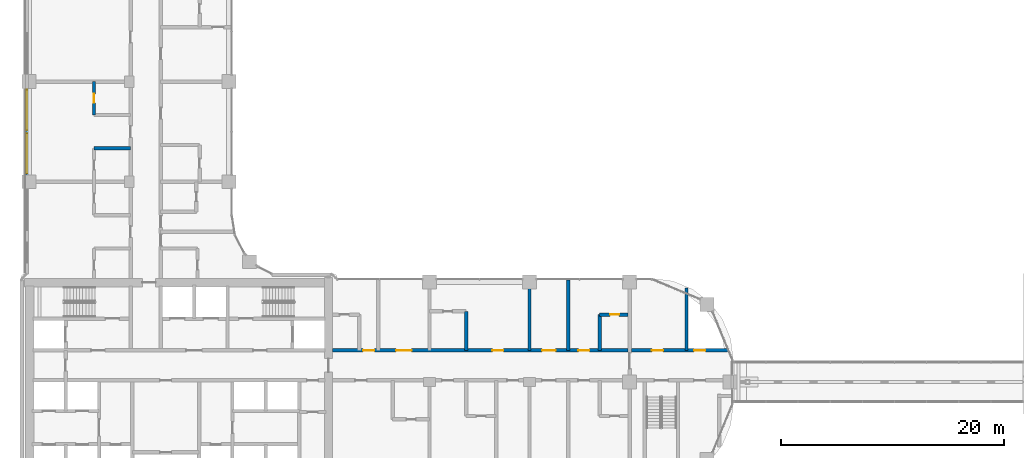
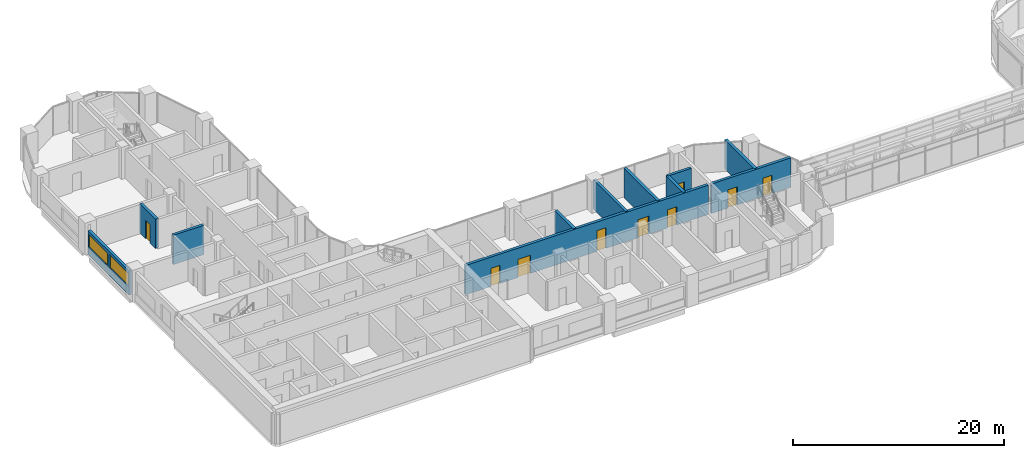
# One storey, part 21 of 33: 11 walls, 9 doors, 2 windows, 11 openings.
"""IFC4 building model written with IfcOpenShell, lengths in metres."""

import ifcopenshell
import ifcopenshell.guid

model = None  # the IFC model being written
_history = None  # IfcOwnerHistory: only IFC2X3 demands one
_inside = {}  # id of a spatial element -> (the spatial element, [elements in it])
_under = {}  # id of a project, library or spatial element -> (it, [spatial elements below it])
_declared = {}  # id of a project -> (the project, [libraries it declares])
_typed = {}  # id of a type object -> (the type object, [elements of that type])
_made_of = {}  # id of a material, layer set ... -> (it, [elements and type objects made of it])


def new_model(schema):
    """Start an empty IFC model of exactly this schema.

    Asked for "IFC4X3", IfcOpenShell would pick the latest addendum, in which some entities
    have other attributes; the version numbers below select the first issue.
    IFC2X3 requires an IfcOwnerHistory on every rooted entity: one is made here for all.
    """
    global model, _history
    if schema == "IFC4X3":
        model = ifcopenshell.file(schema_version=(4, 3, 0, 0))
    else:
        model = ifcopenshell.file(schema=schema)
    _inside.clear()
    _under.clear()
    _declared.clear()
    _typed.clear()
    _made_of.clear()
    _history = None
    if model.schema == "IFC2X3":
        org = make("IfcOrganization", Name="unknown")
        user = make(
            "IfcPersonAndOrganization",
            ThePerson=make("IfcPerson", FamilyName="unknown"),
            TheOrganization=org,
        )
        app = make(
            "IfcApplication",
            ApplicationDeveloper=org,
            Version="unknown",
            ApplicationFullName="unknown",
            ApplicationIdentifier="unknown",
        )
        _history = make(
            "IfcOwnerHistory",
            OwningUser=user,
            OwningApplication=app,
            ChangeAction="ADDED",
            CreationDate=0,
        )
    return model


def make(cls, **values):
    """One entity of the class cls with the attributes given. An attribute that is None is left unset."""
    return model.create_entity(
        cls, **{name: value for name, value in values.items() if value is not None}
    )


def rooted(cls, **values):
    """An entity with a GlobalId (a new one), such as an element, a storey or a relation."""
    return make(cls, GlobalId=ifcopenshell.guid.new(), OwnerHistory=_history, **values)


def si_unit(unit_type, name, prefix=None):
    """IfcSIUnit, for example si_unit("LENGTHUNIT", "METRE", prefix="MILLI")."""
    return make("IfcSIUnit", UnitType=unit_type, Prefix=prefix, Name=name)


def assignment(units):
    """IfcUnitAssignment: the units of a project."""
    return None if units is None else make("IfcUnitAssignment", Units=units)


def point(xyz):
    """IfcCartesianPoint."""
    return None if xyz is None else make("IfcCartesianPoint", Coordinates=xyz)


def direction(xyz):
    """IfcDirection."""
    return None if xyz is None else make("IfcDirection", DirectionRatios=xyz)


def frame(location, z_axis=None, x_axis=None):
    """IfcAxis2Placement3D, a coordinate frame: its origin and axes. An axis left out is left unset."""
    return make(
        "IfcAxis2Placement3D",
        Location=point(location),
        Axis=direction(z_axis),
        RefDirection=direction(x_axis),
    )


def frame_2d(location, x_axis=None):
    """IfcAxis2Placement2D, a coordinate frame in the plane: its origin and x axis."""
    return make(
        "IfcAxis2Placement2D", Location=point(location), RefDirection=direction(x_axis)
    )


def origin():
    """The frame at (0, 0, 0) with its axes left unset."""
    return frame((0.0, 0.0, 0.0))


def place(relative_to, where):
    """IfcLocalPlacement: puts the frame where relative to a parent placement (None: the world)."""
    return make(
        "IfcLocalPlacement", PlacementRelTo=relative_to, RelativePlacement=where
    )


def context(
    kind, dimensions, precision=None, world=None, true_north=None, identifier=None
):
    """IfcGeometricRepresentationContext, for example the 3D "Model" context."""
    return make(
        "IfcGeometricRepresentationContext",
        ContextIdentifier=identifier,
        ContextType=kind,
        CoordinateSpaceDimension=dimensions,
        Precision=precision,
        WorldCoordinateSystem=world,
        TrueNorth=true_north,
    )


def subcontext(parent, identifier, kind, view, scale=None):
    """IfcGeometricRepresentationSubContext, for example "Body" below "Model"."""
    return make(
        "IfcGeometricRepresentationSubContext",
        ContextIdentifier=identifier,
        ContextType=kind,
        ParentContext=parent,
        TargetScale=scale,
        TargetView=view,
    )


def project(units=None, contexts=None):
    """IfcProject with its units and contexts."""
    return rooted(
        "IfcProject",
        Name="project",
        RepresentationContexts=contexts,
        UnitsInContext=assignment(units),
    )


def spatial(cls, under=None, at=None, **own):
    """A site, building, storey or space (cls), placed at a placement, below another one or the project."""
    s = rooted(cls, ObjectPlacement=at, **own)
    if under is not None:
        _under.setdefault(under.id(), (under, []))[1].append(s)
    return s


def profile(cls, at=None, kind="AREA", **sizes):
    """A parametric profile (cls). Its sizes go by their IFC names, for example OverallWidth=200.0."""
    return make(cls, ProfileType=kind, Position=at, **sizes)


def rectangle(**sizes):
    """IfcRectangleProfileDef."""
    return profile("IfcRectangleProfileDef", **sizes)


def extrude(swept, where, along, depth):
    """IfcExtrudedAreaSolid: the profile swept, set in the frame where, extruded along a direction by depth."""
    return make(
        "IfcExtrudedAreaSolid",
        SweptArea=swept,
        Position=where,
        ExtrudedDirection=direction(along),
        Depth=depth,
    )


def shape(context_of_items, identifier, shape_type, items):
    """IfcShapeRepresentation: the items that make up one representation, for example the "Body"."""
    return make(
        "IfcShapeRepresentation",
        ContextOfItems=context_of_items,
        RepresentationIdentifier=identifier,
        RepresentationType=shape_type,
        Items=items,
    )


def material(Name=None, Category=None):
    """IfcMaterial."""
    return make("IfcMaterial", Name=Name, Category=Category)


def layer(
    of_material, thickness, ventilated=None, Name=None, Category=None, Priority=None
):
    """IfcMaterialLayer: one layer of a wall or slab, of a material (None: an air gap)."""
    return make(
        "IfcMaterialLayer",
        Material=of_material,
        LayerThickness=thickness,
        IsVentilated=ventilated,
        Name=Name,
        Category=Category,
        Priority=Priority,
    )


def layer_set(layers, Name=None):
    """IfcMaterialLayerSet."""
    return make("IfcMaterialLayerSet", MaterialLayers=layers, LayerSetName=Name)


def made_of(thing, what):
    """Note that an element or type object is made of a material, layer set ...; save() writes the relation."""
    if what is not None:
        _made_of.setdefault(what.id(), (what, []))[1].append(thing)
    return thing


def type_object(cls, material=None, **own):
    """A type object (cls), such as IfcWallType, which elements share."""
    return made_of(rooted(cls, **own), material)


def element(
    cls,
    number,
    at=None,
    inside=None,
    cuts=None,
    type_object=None,
    material=None,
    context=None,
    identifier="Body",
    shape_type=None,
    held_by="IfcProductDefinitionShape",
    body=None,
    shapes=None,
    **own,
):
    """One element of the class cls, such as IfcWall. Its Tag is "e" and its number.

    at: its placement. inside: the storey or other place that contains it. cuts: it is an
    opening in that element (IfcRelVoidsElement). A single representation is given by context,
    identifier, shape_type and body (its items); several are given by shapes. held_by: the class
    of the entity that holds the representations. save() writes the other relations.
    """
    e = rooted(cls, Tag="e%d" % number, ObjectPlacement=at, **own)
    if body is not None:
        shapes = [shape(context, identifier, shape_type, body)]
    if shapes is not None:
        e.Representation = make(held_by, Representations=shapes)
    if inside is not None:
        _inside.setdefault(inside.id(), (inside, []))[1].append(e)
    if cuts is not None:
        rooted(
            "IfcRelVoidsElement", RelatingBuildingElement=cuts, RelatedOpeningElement=e
        )
    if type_object is not None:
        _typed.setdefault(type_object.id(), (type_object, []))[1].append(e)
    return made_of(e, material)


def fill(opening, filler):
    """IfcRelFillsElement: the door or window that sits in an opening."""
    return rooted(
        "IfcRelFillsElement",
        RelatingOpeningElement=opening,
        RelatedBuildingElement=filler,
    )


def aggregate(whole, parts):
    """IfcRelAggregates: a whole, such as a stair, and the parts it consists of."""
    return rooted("IfcRelAggregates", RelatingObject=whole, RelatedObjects=parts)


def save(model, path):
    """Write the relations noted so far, then the file.

    IfcRelAggregates (storeys below a building ...), IfcRelContainedInSpatialStructure (elements
    in a storey), IfcRelDefinesByType, IfcRelAssociatesMaterial and IfcRelDeclares: one each for
    every whole, place, type object, material and project.
    """
    for whole, parts in _under.values():
        aggregate(whole, parts)
    for where, things in _inside.values():
        rooted(
            "IfcRelContainedInSpatialStructure",
            RelatedElements=things,
            RelatingStructure=where,
        )
    for kind, things in _typed.values():
        rooted("IfcRelDefinesByType", RelatedObjects=things, RelatingType=kind)
    for what, things in _made_of.values():
        rooted("IfcRelAssociatesMaterial", RelatedObjects=things, RelatingMaterial=what)
    for by, libraries in _declared.values():
        rooted("IfcRelDeclares", RelatingContext=by, RelatedDefinitions=libraries)
    model.write(path)


model = new_model("IFC4")

# Units and contexts
model_context = context("Model", 3, precision=1e-05, world=origin(), true_north=direction((0.0, 1.0)))
body_context = subcontext(model_context, "Body", "Model", "MODEL_VIEW")
ifc_project = project(units=[si_unit("LENGTHUNIT", "METRE"), si_unit("AREAUNIT", "SQUARE_METRE"), si_unit("VOLUMEUNIT", "CUBIC_METRE"), si_unit("PLANEANGLEUNIT", "RADIAN"), si_unit("MASSUNIT", "GRAM", prefix="KILO")], contexts=[model_context])

# Site, building, storey
site_placement = place(None, origin())
site = spatial("IfcSite", under=ifc_project, at=site_placement, CompositionType="ELEMENT")
building_placement = place(site_placement, origin())
building = spatial("IfcBuilding", under=site, at=building_placement, Name="Ogive Portal Towers", CompositionType="ELEMENT")
storey_placement = place(building_placement, frame((0.0, 0.0, 101.89990234375)))
storey = spatial("IfcBuildingStorey", under=building, at=storey_placement, Name="L24", CompositionType="ELEMENT", Elevation=101.89990234375)

# Wall, openings, windows
ifc_material_1 = material(Name="Limestone cladding on lightweight block wall", Category="masonry")
ifc_layer_1 = layer(ifc_material_1, 0.300048828125)
ifc_layer_set_1 = layer_set([ifc_layer_1], Name="EXTERNAL WALL 300 STONE")
wall_type_1 = type_object("IfcWallType", Name="EXTERNAL WALL 300 STONE", PredefinedType="SOLIDWALL", material=ifc_layer_set_1)
wall_1_placement = place(storey_placement, frame((31.330078125, 56.875, 0.0), z_axis=(0.0, 0.0, 1.0), x_axis=(0.0, -1.0, 0.0)))
wall_1 = element("IfcWall", 1, at=wall_1_placement, inside=storey, type_object=wall_type_1, Name="A:L24:f12:r0:wall3", PredefinedType="SOLIDWALL", context=body_context, shape_type="SweptSolid", body=[
    extrude(rectangle(XDim=7.75, YDim=0.300048828125, at=frame_2d((3.875, 0.0))), origin(), (0.0, 0.0, 1.0), 2.75),
])
opening_1_placement = place(wall_1_placement, frame((0.125, 0.0, 0.89990234375)))
opening_1 = element("IfcOpeningElement", 2, at=opening_1_placement, cuts=wall_1, Name="Opening WN12", PredefinedType="OPENING", context=body_context, shape_type="SweptSolid", body=[
    extrude(rectangle(XDim=3.60009765625, YDim=1.5, at=frame_2d((1.800048828125, 0.75))), frame((0.0, 0.16015625, 0.0), z_axis=(0.0, -1.0, 0.0), x_axis=(1.0, 0.0, 0.0)), (0.0, 0.0, 1.0), 0.320068359375),
])
opening_2_placement = place(wall_1_placement, frame((4.02490234375, 0.0, 0.89990234375)))
opening_2 = element("IfcOpeningElement", 3, at=opening_2_placement, cuts=wall_1, Name="Opening WN12", PredefinedType="OPENING", context=body_context, shape_type="SweptSolid", body=[
    extrude(rectangle(XDim=3.60009765625, YDim=1.5, at=frame_2d((1.800048828125, 0.75))), frame((0.0, 0.16015625, 0.0), z_axis=(0.0, -1.0, 0.0), x_axis=(1.0, 0.0, 0.0)), (0.0, 0.0, 1.0), 0.320068359375),
])
ifc_material_2 = material(Name="Glass, clear low-iron insulated glazing", Category="glass")
window_type = type_object("IfcWindowType", Name="WINDOW RIBBON 3600x1500", PartitioningType="TRIPLE_PANEL_VERTICAL", PredefinedType="WINDOW", material=ifc_material_2)
window_1_placement = place(opening_1_placement, origin())
window_1 = element("IfcWindow", 4, at=window_1_placement, inside=storey, type_object=window_type, Name="A:L24:f12:r0:w2", OverallHeight=1.5, OverallWidth=3.60009765625, PartitioningType="SINGLE_PANEL", PredefinedType="WINDOW", context=body_context, shape_type="SweptSolid", body=[
    extrude(rectangle(XDim=3.60009765625, YDim=1.5, at=frame_2d((1.800048828125, 0.75))), frame((0.0, 0.030029296875, 0.0), z_axis=(0.0, -1.0, 0.0), x_axis=(1.0, 0.0, 0.0)), (0.0, 0.0, 1.0), 0.06005859375),
])
fill(opening_1, window_1)
window_2_placement = place(opening_2_placement, origin())
window_2 = element("IfcWindow", 5, at=window_2_placement, inside=storey, type_object=window_type, Name="A:L24:f12:r0:w3", OverallHeight=1.5, OverallWidth=3.60009765625, PartitioningType="SINGLE_PANEL", PredefinedType="WINDOW", context=body_context, shape_type="SweptSolid", body=[
    extrude(rectangle(XDim=3.60009765625, YDim=1.5, at=frame_2d((1.800048828125, 0.75))), frame((0.0, 0.030029296875, 0.0), z_axis=(0.0, -1.0, 0.0), x_axis=(1.0, 0.0, 0.0)), (0.0, 0.0, 1.0), 0.06005859375),
])
fill(opening_2, window_2)

# Wall, openings, doors
ifc_material_3 = material(Name="Gypsum board partition on steel studs", Category="steel")
ifc_layer_2 = layer(ifc_material_3, 0.300048828125)
ifc_layer_set_2 = layer_set([ifc_layer_2], Name="WT-PART-300-EI 60")
wall_type_2 = type_object("IfcWallType", Name="WT-PART-300-EI 60", PredefinedType="PARTITIONING", material=ifc_layer_set_2)
wall_2_placement = place(storey_placement, frame((58.800048828125, 33.35009765625, 0.0), z_axis=(0.0, 0.0, 1.0), x_axis=(1.0, 0.0, 0.0)))
wall_2 = element("IfcWall", 6, at=wall_2_placement, inside=storey, type_object=wall_type_2, Name="Wall L24:w008", PredefinedType="PARTITIONING", context=body_context, shape_type="SweptSolid", body=[
    extrude(rectangle(XDim=26.530029296875, YDim=0.300048828125, at=frame_2d((13.26513671875, 0.0))), origin(), (0.0, 0.0, 1.0), 3.400146484375),
])
opening_3_placement = place(wall_2_placement, frame((2.75, 0.0, 0.0)))
opening_3 = element("IfcOpeningElement", 7, at=opening_3_placement, cuts=wall_2, Name="Opening D08-026", PredefinedType="OPENING", context=body_context, shape_type="SweptSolid", body=[
    extrude(rectangle(XDim=1.0, YDim=2.10009765625, at=frame_2d((0.5, 1.050048828125))), frame((0.0, 0.16015625, 0.0), z_axis=(0.0, -1.0, 0.0), x_axis=(1.0, 0.0, 0.0)), (0.0, 0.0, 1.0), 0.320068359375),
])
opening_4_placement = place(wall_2_placement, frame((5.699951171875, 0.0, 0.0)))
opening_4 = element("IfcOpeningElement", 8, at=opening_4_placement, cuts=wall_2, Name="Opening D08-027", PredefinedType="OPENING", context=body_context, shape_type="SweptSolid", body=[
    extrude(rectangle(XDim=1.39990234375, YDim=2.10009765625, at=frame_2d((0.699951171875, 1.050048828125))), frame((0.0, 0.16015625, 0.0), z_axis=(0.0, -1.0, 0.0), x_axis=(1.0, 0.0, 0.0)), (0.0, 0.0, 1.0), 0.320068359375),
])
opening_5_placement = place(wall_2_placement, frame((14.35009765625, 0.0, 0.0)))
opening_5 = element("IfcOpeningElement", 9, at=opening_5_placement, cuts=wall_2, Name="Opening D08-031", PredefinedType="OPENING", context=body_context, shape_type="SweptSolid", body=[
    extrude(rectangle(XDim=1.0, YDim=2.39990234375, at=frame_2d((0.5, 1.199951171875))), frame((0.0, 0.16015625, 0.0), z_axis=(0.0, -1.0, 0.0), x_axis=(1.0, 0.0, 0.0)), (0.0, 0.0, 1.0), 0.320068359375),
])
opening_6_placement = place(wall_2_placement, frame((18.8349609375, 0.0, 0.0)))
opening_6 = element("IfcOpeningElement", 10, at=opening_6_placement, cuts=wall_2, Name="Opening D08-035", PredefinedType="OPENING", context=body_context, shape_type="SweptSolid", body=[
    extrude(rectangle(XDim=1.199951171875, YDim=2.10009765625, at=frame_2d((0.60009765625, 1.050048828125))), frame((0.0, 0.16015625, 0.0), z_axis=(0.0, -1.0, 0.0), x_axis=(1.0, 0.0, 0.0)), (0.0, 0.0, 1.0), 0.320068359375),
])
opening_7_placement = place(wall_2_placement, frame((22.0849609375, 0.0, 0.0)))
opening_7 = element("IfcOpeningElement", 11, at=opening_7_placement, cuts=wall_2, Name="Opening D08-037", PredefinedType="OPENING", context=body_context, shape_type="SweptSolid", body=[
    extrude(rectangle(XDim=1.0, YDim=2.10009765625, at=frame_2d((0.5, 1.050048828125))), frame((0.0, 0.16015625, 0.0), z_axis=(0.0, -1.0, 0.0), x_axis=(1.0, 0.0, 0.0)), (0.0, 0.0, 1.0), 0.320068359375),
])
ifc_material_4 = material(Name="Steel fire door", Category="steel")
door_type_1 = type_object("IfcDoorType", Name="DT-ENTRY-1000x2100-FD90S", OperationType="SINGLE_SWING_LEFT", PredefinedType="DOOR", material=ifc_material_4)
door_1_placement = place(opening_3_placement, origin())
door_1 = element("IfcDoor", 12, at=door_1_placement, inside=storey, type_object=door_type_1, Name="Door D08-026", OperationType="SINGLE_SWING_LEFT", OverallHeight=2.10009765625, OverallWidth=1.0, PredefinedType="DOOR", context=body_context, shape_type="SweptSolid", body=[
    extrude(rectangle(XDim=1.0, YDim=2.10009765625, at=frame_2d((0.5, 1.050048828125))), frame((0.0, 0.02490234375, 0.0), z_axis=(0.0, -1.0, 0.0), x_axis=(1.0, 0.0, 0.0)), (0.0, 0.0, 1.0), 0.050048828125),
])
fill(opening_3, door_1)
door_2_placement = place(opening_7_placement, origin())
door_2 = element("IfcDoor", 13, at=door_2_placement, inside=storey, type_object=door_type_1, Name="Door D08-037", OperationType="SINGLE_SWING_RIGHT", OverallHeight=2.10009765625, OverallWidth=1.0, PredefinedType="DOOR", context=body_context, shape_type="SweptSolid", body=[
    extrude(rectangle(XDim=1.0, YDim=2.10009765625, at=frame_2d((0.5, 1.050048828125))), frame((0.0, 0.02490234375, 0.0), z_axis=(0.0, -1.0, 0.0), x_axis=(1.0, 0.0, 0.0)), (0.0, 0.0, 1.0), 0.050048828125),
])
fill(opening_7, door_2)
door_type_2 = type_object("IfcDoorType", Name="DT-ENTRY-1000x2400-FD90S", OperationType="SINGLE_SWING_LEFT", PredefinedType="DOOR", material=ifc_material_4)
door_3_placement = place(opening_5_placement, origin())
door_3 = element("IfcDoor", 14, at=door_3_placement, inside=storey, type_object=door_type_2, Name="Door D08-031", OperationType="SINGLE_SWING_RIGHT", OverallHeight=2.39990234375, OverallWidth=1.0, PredefinedType="DOOR", context=body_context, shape_type="SweptSolid", body=[
    extrude(rectangle(XDim=1.0, YDim=2.39990234375, at=frame_2d((0.5, 1.199951171875))), frame((0.0, 0.02490234375, 0.0), z_axis=(0.0, -1.0, 0.0), x_axis=(1.0, 0.0, 0.0)), (0.0, 0.0, 1.0), 0.050048828125),
])
fill(opening_5, door_3)
door_type_3 = type_object("IfcDoorType", Name="DT-ENTRY-1200x2100-FD90S", OperationType="SINGLE_SWING_LEFT", PredefinedType="DOOR", material=ifc_material_4)
door_4_placement = place(opening_6_placement, origin())
door_4 = element("IfcDoor", 15, at=door_4_placement, inside=storey, type_object=door_type_3, Name="Door D08-035", OperationType="SINGLE_SWING_LEFT", OverallHeight=2.10009765625, OverallWidth=1.199951171875, PredefinedType="DOOR", context=body_context, shape_type="SweptSolid", body=[
    extrude(rectangle(XDim=1.199951171875, YDim=2.10009765625, at=frame_2d((0.60009765625, 1.050048828125))), frame((0.0, 0.02490234375, 0.0), z_axis=(0.0, -1.0, 0.0), x_axis=(1.0, 0.0, 0.0)), (0.0, 0.0, 1.0), 0.050048828125),
])
fill(opening_6, door_4)
door_type_4 = type_object("IfcDoorType", Name="DT-ENTRY-1400x2100-FD90S", OperationType="SINGLE_SWING_LEFT", PredefinedType="DOOR", material=ifc_material_4)
door_5_placement = place(opening_4_placement, origin())
door_5 = element("IfcDoor", 16, at=door_5_placement, inside=storey, type_object=door_type_4, Name="Door D08-027", OperationType="SINGLE_SWING_RIGHT", OverallHeight=2.10009765625, OverallWidth=1.39990234375, PredefinedType="DOOR", context=body_context, shape_type="SweptSolid", body=[
    extrude(rectangle(XDim=1.39990234375, YDim=2.10009765625, at=frame_2d((0.699951171875, 1.050048828125))), frame((0.0, 0.02490234375, 0.0), z_axis=(0.0, -1.0, 0.0), x_axis=(1.0, 0.0, 0.0)), (0.0, 0.0, 1.0), 0.050048828125),
])
fill(opening_4, door_5)

wall_3_placement = place(storey_placement, frame((85.669921875, 33.35009765625, 0.0), z_axis=(0.0, 0.0, 1.0), x_axis=(1.0, 0.0, 0.0)))
wall_3 = element("IfcWall", 17, at=wall_3_placement, inside=storey, type_object=wall_type_2, Name="Wall L24:w009", PredefinedType="PARTITIONING", context=body_context, shape_type="SweptSolid", body=[
    extrude(rectangle(XDim=8.68505859375, YDim=0.300048828125, at=frame_2d((4.342529296875, 0.0))), origin(), (0.0, 0.0, 1.0), 3.400146484375),
])
opening_8_placement = place(wall_3_placement, frame((1.830078125, 0.0, 0.0)))
opening_8 = element("IfcOpeningElement", 18, at=opening_8_placement, cuts=wall_3, Name="Opening D08-060", PredefinedType="OPENING", context=body_context, shape_type="SweptSolid", body=[
    extrude(rectangle(XDim=1.0, YDim=2.10009765625, at=frame_2d((0.5, 1.050048828125))), frame((0.0, 0.16015625, 0.0), z_axis=(0.0, -1.0, 0.0), x_axis=(1.0, 0.0, 0.0)), (0.0, 0.0, 1.0), 0.320068359375),
])
opening_9_placement = place(wall_3_placement, frame((5.6298828125, 0.0, 0.0)))
opening_9 = element("IfcOpeningElement", 19, at=opening_9_placement, cuts=wall_3, Name="Opening D08-061", PredefinedType="OPENING", context=body_context, shape_type="SweptSolid", body=[
    extrude(rectangle(XDim=1.0, YDim=2.10009765625, at=frame_2d((0.5, 1.050048828125))), frame((0.0, 0.16015625, 0.0), z_axis=(0.0, -1.0, 0.0), x_axis=(1.0, 0.0, 0.0)), (0.0, 0.0, 1.0), 0.320068359375),
])
door_type_5 = type_object("IfcDoorType", Name="DT-SERVICE-1000x2100-FD90S", OperationType="SINGLE_SWING_LEFT", PredefinedType="DOOR", material=ifc_material_4)
door_6_placement = place(opening_8_placement, origin())
door_6 = element("IfcDoor", 20, at=door_6_placement, inside=storey, type_object=door_type_5, Name="Door D08-060", OperationType="SINGLE_SWING_LEFT", OverallHeight=2.10009765625, OverallWidth=1.0, PredefinedType="DOOR", context=body_context, shape_type="SweptSolid", body=[
    extrude(rectangle(XDim=1.0, YDim=2.10009765625, at=frame_2d((0.5, 1.050048828125))), frame((0.0, 0.02490234375, 0.0), z_axis=(0.0, -1.0, 0.0), x_axis=(1.0, 0.0, 0.0)), (0.0, 0.0, 1.0), 0.050048828125),
])
fill(opening_8, door_6)
door_7_placement = place(opening_9_placement, origin())
door_7 = element("IfcDoor", 21, at=door_7_placement, inside=storey, type_object=door_type_5, Name="Riser access door D08-061", OperationType="SINGLE_SWING_RIGHT", OverallHeight=2.10009765625, OverallWidth=1.0, PredefinedType="DOOR", context=body_context, shape_type="SweptSolid", body=[
    extrude(rectangle(XDim=1.0, YDim=2.10009765625, at=frame_2d((0.5, 1.050048828125))), frame((0.0, 0.02490234375, 0.0), z_axis=(0.0, -1.0, 0.0), x_axis=(1.0, 0.0, 0.0)), (0.0, 0.0, 1.0), 0.050048828125),
])
fill(opening_9, door_7)

# Wall, opening, door
wall_4_placement = place(storey_placement, frame((82.800048828125, 36.550048828125, 0.0), z_axis=(0.0, 0.0, 1.0), x_axis=(1.0, 0.0, 0.0)))
wall_4 = element("IfcWall", 22, at=wall_4_placement, inside=storey, type_object=wall_type_2, Name="Wall L24:w011", PredefinedType="PARTITIONING", context=body_context, shape_type="SweptSolid", body=[
    extrude(rectangle(XDim=2.530029296875, YDim=0.300048828125, at=frame_2d((1.26513671875, 0.0))), origin(), (0.0, 0.0, 1.0), 3.400146484375),
])
opening_10_placement = place(wall_4_placement, frame((0.949951171875, 0.0, 0.0)))
opening_10 = element("IfcOpeningElement", 23, at=opening_10_placement, cuts=wall_4, Name="Opening D08-036", PredefinedType="OPENING", context=body_context, shape_type="SweptSolid", body=[
    extrude(rectangle(XDim=0.800048828125, YDim=2.10009765625, at=frame_2d((0.39990234375, 1.050048828125))), frame((0.0, 0.16015625, 0.0), z_axis=(0.0, -1.0, 0.0), x_axis=(1.0, 0.0, 0.0)), (0.0, 0.0, 1.0), 0.320068359375),
])
door_type_6 = type_object("IfcDoorType", Name="DT-BATH-800x2100-FD60S", OperationType="SINGLE_SWING_LEFT", PredefinedType="DOOR", material=ifc_material_4)
door_8_placement = place(opening_10_placement, origin())
door_8 = element("IfcDoor", 24, at=door_8_placement, inside=storey, type_object=door_type_6, Name="Door D08-036", OperationType="SINGLE_SWING_LEFT", OverallHeight=2.10009765625, OverallWidth=0.800048828125, PredefinedType="DOOR", context=body_context, shape_type="SweptSolid", body=[
    extrude(rectangle(XDim=0.800048828125, YDim=2.10009765625, at=frame_2d((0.39990234375, 1.050048828125))), frame((0.0, 0.02490234375, 0.0), z_axis=(0.0, -1.0, 0.0), x_axis=(1.0, 0.0, 0.0)), (0.0, 0.0, 1.0), 0.050048828125),
])
fill(opening_10, door_8)

# Wall
wall_5_placement = place(storey_placement, frame((37.35009765625, 51.5, 0.0), z_axis=(0.0, 0.0, 1.0), x_axis=(1.0, 0.0, 0.0)))
element("IfcWall", 25, at=wall_5_placement, inside=storey, type_object=wall_type_2, Name="Wall L24:w020", PredefinedType="PARTITIONING", context=body_context, shape_type="SweptSolid", body=[
    extrude(rectangle(XDim=3.2998046875, YDim=0.300048828125, at=frame_2d((1.64990234375, 0.0))), origin(), (0.0, 0.0, 1.0), 3.400146484375),
])

# Wall, opening, door
wall_6_placement = place(storey_placement, frame((37.35009765625, 54.5, 0.0), z_axis=(0.0, 0.0, 1.0), x_axis=(0.0, 1.0, 0.0)))
wall_6 = element("IfcWall", 26, at=wall_6_placement, inside=storey, type_object=wall_type_2, Name="Wall L24:w033", PredefinedType="PARTITIONING", context=body_context, shape_type="SweptSolid", body=[
    extrude(rectangle(XDim=3.0, YDim=0.300048828125, at=frame_2d((1.5, 0.0))), origin(), (0.0, 0.0, 1.0), 3.400146484375),
])
opening_11_placement = place(wall_6_placement, frame((1.10009765625, 0.0, 0.0)))
opening_11 = element("IfcOpeningElement", 27, at=opening_11_placement, cuts=wall_6, Name="Opening D08-051", PredefinedType="OPENING", context=body_context, shape_type="SweptSolid", body=[
    extrude(rectangle(XDim=0.800048828125, YDim=2.10009765625, at=frame_2d((0.39990234375, 1.050048828125))), frame((0.0, 0.16015625, 0.0), z_axis=(0.0, -1.0, 0.0), x_axis=(1.0, 0.0, 0.0)), (0.0, 0.0, 1.0), 0.320068359375),
])
door_9_placement = place(opening_11_placement, origin())
door_9 = element("IfcDoor", 28, at=door_9_placement, inside=storey, type_object=door_type_6, Name="Door D08-051", OperationType="SINGLE_SWING_LEFT", OverallHeight=2.10009765625, OverallWidth=0.800048828125, PredefinedType="DOOR", context=body_context, shape_type="SweptSolid", body=[
    extrude(rectangle(XDim=0.800048828125, YDim=2.10009765625, at=frame_2d((0.39990234375, 1.050048828125))), frame((0.0, 0.02490234375, 0.0), z_axis=(0.0, -1.0, 0.0), x_axis=(1.0, 0.0, 0.0)), (0.0, 0.0, 1.0), 0.050048828125),
])
fill(opening_11, door_9)

# Walls
wall_7_placement = place(storey_placement, frame((70.800048828125, 33.35009765625, 0.0), z_axis=(0.0, 0.0, 1.0), x_axis=(0.0, 1.0, 0.0)))
element("IfcWall", 29, at=wall_7_placement, inside=storey, type_object=wall_type_2, Name="Wall L24:w049", PredefinedType="PARTITIONING", context=body_context, shape_type="SweptSolid", body=[
    extrude(rectangle(XDim=3.5, YDim=0.300048828125, at=frame_2d((1.75, 0.0))), origin(), (0.0, 0.0, 1.0), 3.400146484375),
])
wall_8_placement = place(storey_placement, frame((76.5, 33.35009765625, 0.0), z_axis=(0.0, 0.0, 1.0), x_axis=(0.0, 1.0, 0.0)))
element("IfcWall", 30, at=wall_8_placement, inside=storey, type_object=wall_type_2, Name="Wall L24:w052", PredefinedType="PARTITIONING", context=body_context, shape_type="SweptSolid", body=[
    extrude(rectangle(XDim=6.119873046875, YDim=0.300048828125, at=frame_2d((3.06005859375, 0.0))), origin(), (0.0, 0.0, 1.0), 3.400146484375),
])
wall_9_placement = place(storey_placement, frame((79.969970703125, 33.35009765625, 0.0), z_axis=(0.0, 0.0, 1.0), x_axis=(0.0, 1.0, 0.0)))
element("IfcWall", 31, at=wall_9_placement, inside=storey, type_object=wall_type_2, Name="Wall L24:w054", PredefinedType="PARTITIONING", context=body_context, shape_type="SweptSolid", body=[
    extrude(rectangle(XDim=6.2998046875, YDim=0.300048828125, at=frame_2d((3.14990234375, 0.0))), origin(), (0.0, 0.0, 1.0), 3.400146484375),
])
wall_10_placement = place(storey_placement, frame((82.800048828125, 33.35009765625, 0.0), z_axis=(0.0, 0.0, 1.0), x_axis=(0.0, 1.0, 0.0)))
element("IfcWall", 32, at=wall_10_placement, inside=storey, type_object=wall_type_2, Name="Wall L24:w056", PredefinedType="PARTITIONING", context=body_context, shape_type="SweptSolid", body=[
    extrude(rectangle(XDim=3.199951171875, YDim=0.300048828125, at=frame_2d((1.60009765625, 0.0))), origin(), (0.0, 0.0, 1.0), 3.400146484375),
])
wall_11_placement = place(storey_placement, frame((90.60009765625, 33.35009765625, 0.0), z_axis=(0.0, 0.0, 1.0), x_axis=(0.0, 1.0, 0.0)))
element("IfcWall", 33, at=wall_11_placement, inside=storey, type_object=wall_type_2, Name="Wall L24:w059", PredefinedType="PARTITIONING", context=body_context, shape_type="SweptSolid", body=[
    extrude(rectangle(XDim=5.602783203125, YDim=0.300048828125, at=frame_2d((2.80126953125, 0.0))), origin(), (0.0, 0.0, 1.0), 3.400146484375),
])

save(model, "model.ifc")
